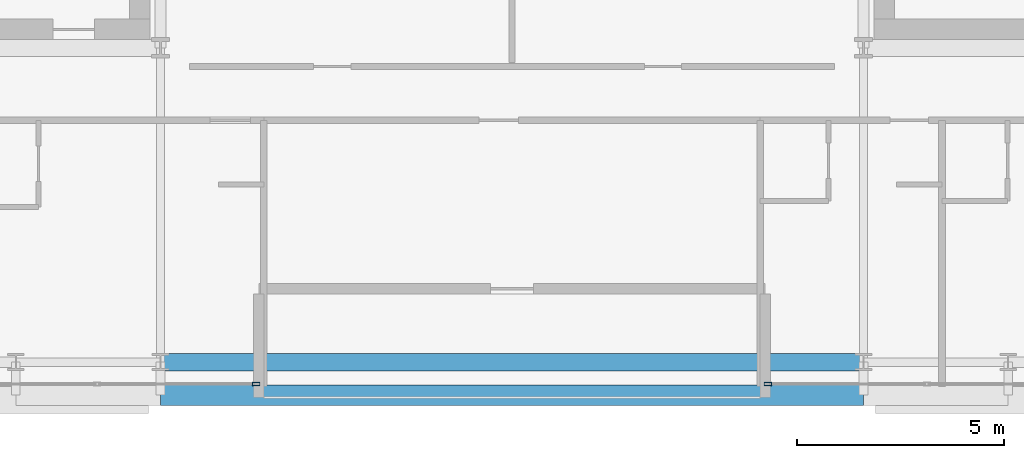
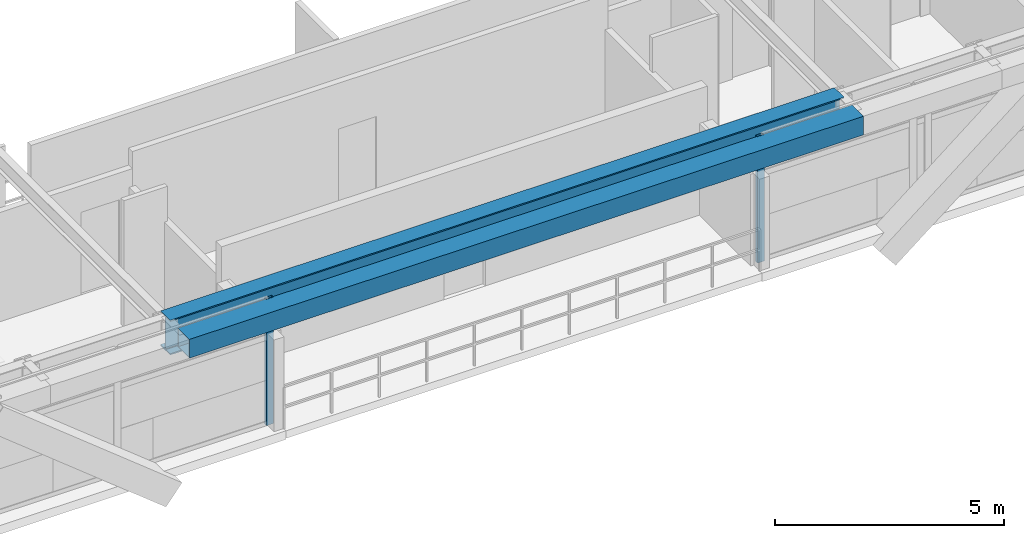
# One storey, part 6 of 31: 2 beams, 2 members, 2 elements without a shape of their own.
"""IFC4 building model written with IfcOpenShell, lengths in metres."""

from ifc_helpers import new_model, si_unit, direction, frame, origin, origin_2d, place, context, subcontext, project, spatial, hollow_rectangle, i_section, extrude, source, transform, mapped, material, layer, layer_set, material_profile, profile_set, type_object, element, aggregate, save


model = new_model("IFC4")

# Units and contexts
model_context = context("Model", 3, precision=1e-05, world=origin(), true_north=direction((0.0, 1.0)))
body_context = subcontext(model_context, "Body", "Model", "MODEL_VIEW")
ifc_project = project(units=[si_unit("LENGTHUNIT", "METRE"), si_unit("AREAUNIT", "SQUARE_METRE"), si_unit("VOLUMEUNIT", "CUBIC_METRE"), si_unit("PLANEANGLEUNIT", "RADIAN"), si_unit("MASSUNIT", "GRAM", prefix="KILO")], contexts=[model_context])

# Site, building, storey
site_placement = place(None, origin())
site = spatial("IfcSite", under=ifc_project, at=site_placement, CompositionType="ELEMENT")
building_placement = place(site_placement, origin())
building = spatial("IfcBuilding", under=site, at=building_placement, Name="Ocotamira Hotel", CompositionType="ELEMENT")
storey_placement = place(building_placement, frame((0.0, 0.0, 202.800048828125)))
storey = spatial("IfcBuildingStorey", under=building, at=storey_placement, Name="L51", CompositionType="ELEMENT", Elevation=202.800048828125)

# Beams
ifc_material_1 = material(Name="Steel ASTM A992 Grade 50", Category="steel")
ifc_material_profile_1 = material_profile(ifc_material_1, i_section(OverallWidth=0.41796875, OverallDepth=0.927001953125, WebThickness=0.019287109375, FlangeThickness=0.031982421875, FilletRadius=0.02392578125, at=origin_2d()), Name="W36X231")
ifc_profile_set_1 = profile_set([ifc_material_profile_1], Name="Steel ASTM A992 Grade 50")
beam_type_1 = type_object("IfcBeamType", Name="BM-GIRD-W36X231", PredefinedType="BEAM", material=ifc_profile_set_1)
shared_shape_1 = source(origin(), body_context, "Body", "SweptSolid", [
    extrude(i_section(OverallWidth=0.41796875, OverallDepth=0.927001953125, WebThickness=0.019287109375, FlangeThickness=0.031982421875, FilletRadius=0.02392578125, at=origin_2d()), origin(), (0.0, 0.0, 1.0), 17.0),
])
beam_1_placement = place(storey_placement, frame((23.5, 6.949951171875, 2.906494140625), z_axis=(1.0, 0.0, 0.0), x_axis=(0.0, 1.0, 0.0)))
element("IfcBeam", 1, at=beam_1_placement, inside=storey, type_object=beam_type_1, Name="L51 Girder Y6.95 X23.5-40.5", PredefinedType="BEAM", context=body_context, shape_type="MappedRepresentation", body=[
    mapped(shared_shape_1, transform((0.0, 0.0, 0.0), scale=1.0)),
])
ifc_material_2 = material(Name="Steel ASTM A500 Grade C", Category="steel")
ifc_material_profile_2 = material_profile(ifc_material_2, hollow_rectangle(XDim=0.5, YDim=0.5, WallThickness=0.02001953125, at=origin_2d()), Name="HSS500X500X20")
ifc_profile_set_2 = profile_set([ifc_material_profile_2], Name="Steel ASTM A500 Grade C")
beam_type_2 = type_object("IfcBeamType", Name="BM-SPAN-HSS500", PredefinedType="USERDEFINED", material=ifc_profile_set_2)
shared_shape_2 = source(origin(), body_context, "Body", "SweptSolid", [
    extrude(hollow_rectangle(XDim=0.5, YDim=0.5, WallThickness=0.02001953125, at=origin_2d()), origin(), (0.0, 0.0, 1.0), 17.0),
])
beam_2_placement = place(storey_placement, frame((23.5, 6.14990234375, 3.119873046875), z_axis=(1.0, 0.0, 0.0), x_axis=(0.0, 1.0, 0.0)))
element("IfcBeam", 2, at=beam_2_placement, inside=storey, type_object=beam_type_2, Name="L51 Edge Spandrel S X23.5-40.5", ObjectType="SPANDREL", PredefinedType="USERDEFINED", context=body_context, shape_type="MappedRepresentation", body=[
    mapped(shared_shape_2, transform((0.0, 0.0, 0.0), scale=1.0)),
])

# Curtain wall, member
ifc_material_3 = material(Name="Anodised pale-metal aluminium and solar glass", Category="aluminium")
ifc_layer = layer(ifc_material_3, 0.199951171875)
ifc_layer_set = layer_set([ifc_layer], Name="Anodised pale-metal aluminium and solar glass")
curtain_wall_type = type_object("IfcCurtainWallType", Name="CW-SYS4-Z3", PredefinedType="NOTDEFINED", material=ifc_layer_set)
curtain_wall_1_placement = place(storey_placement, origin())
curtain_wall_1 = element("IfcCurtainWall", 3, at=curtain_wall_1_placement, inside=storey, type_object=curtain_wall_type, Name="L51 Curtain Wall CW-4 CW-L51-S1", PredefinedType="NOTDEFINED")
ifc_material_4 = material(Name="Anodised pale-metal aluminium 6063-T6", Category="aluminium")
ifc_material_profile_3 = material_profile(ifc_material_4, hollow_rectangle(XDim=0.080078125, YDim=0.179931640625, WallThickness=0.006103515625, at=origin_2d()), Name="HSS180X80X6")
ifc_profile_set_3 = profile_set([ifc_material_profile_3], Name="Anodised pale-metal aluminium 6063-T6")
member_type = type_object("IfcMemberType", Name="CWM-180X75", PredefinedType="MULLION", material=ifc_profile_set_3)
shared_shape_3 = source(origin(), body_context, "Body", "SweptSolid", [
    extrude(hollow_rectangle(XDim=0.080078125, YDim=0.179931640625, WallThickness=0.006103515625, at=origin_2d()), origin(), (0.0, 0.0, 1.0), 3.369873046875),
])
member_1_placement = place(storey_placement, frame((25.81005859375, 6.419921875, 0.0), z_axis=(0.0, 0.0, 1.0), x_axis=(0.0, 1.0, 0.0)))
member_1 = element("IfcMember", 4, at=member_1_placement, type_object=member_type, Name="CW-4 mullion 4", PredefinedType="MULLION", context=body_context, shape_type="MappedRepresentation", body=[
    mapped(shared_shape_3, transform((0.0, 0.0, 0.0), scale=1.0)),
])
aggregate(curtain_wall_1, [member_1])

curtain_wall_2_placement = place(storey_placement, origin())
curtain_wall_2 = element("IfcCurtainWall", 5, at=curtain_wall_2_placement, inside=storey, type_object=curtain_wall_type, Name="L51 Curtain Wall CW-4 CW-L51-S2", PredefinedType="NOTDEFINED")
member_2_placement = place(storey_placement, frame((38.18994140625, 6.419921875, 0.0), z_axis=(0.0, 0.0, 1.0), x_axis=(0.0, 1.0, 0.0)))
member_2 = element("IfcMember", 6, at=member_2_placement, type_object=member_type, Name="CW-4 mullion 1", PredefinedType="MULLION", context=body_context, shape_type="MappedRepresentation", body=[
    mapped(shared_shape_3, transform((0.0, 0.0, 0.0), scale=1.0)),
])
aggregate(curtain_wall_2, [member_2])

save(model, "model.ifc")
